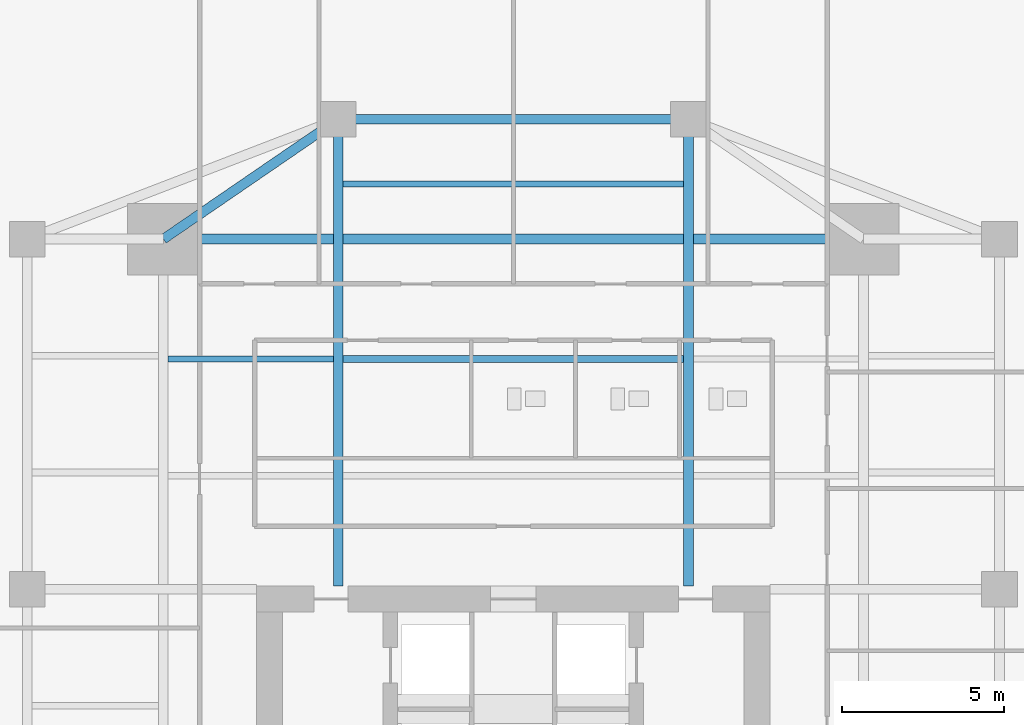
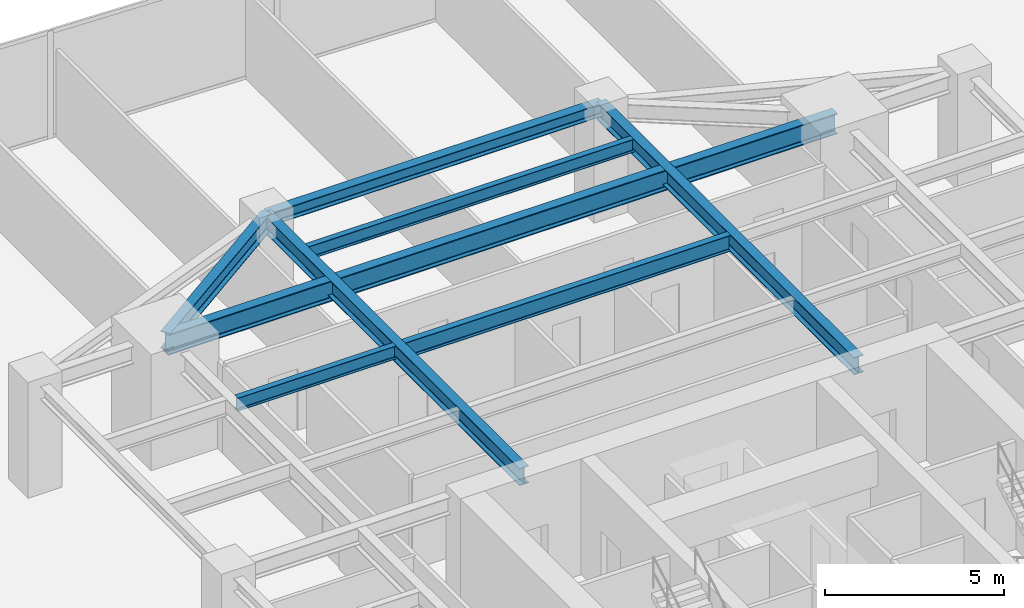
# One storey, part 20 of 30: 8 beams.
"""IFC4 building model written with IfcOpenShell, lengths in metres."""

from ifc_helpers import new_model, si_unit, direction, frame, origin, origin_2d, place, context, subcontext, project, spatial, i_section, extrude, source, transform, mapped, material, material_profile, profile_set, type_object, type_shapes, element, save


model = new_model("IFC4")

# Units and contexts
model_context = context("Model", 3, precision=1e-05, world=origin(), true_north=direction((0.0, 1.0)))
body_context = subcontext(model_context, "Body", "Model", "MODEL_VIEW")
ifc_project = project(units=[si_unit("LENGTHUNIT", "METRE"), si_unit("AREAUNIT", "SQUARE_METRE"), si_unit("VOLUMEUNIT", "CUBIC_METRE"), si_unit("PLANEANGLEUNIT", "RADIAN"), si_unit("MASSUNIT", "GRAM", prefix="KILO")], contexts=[model_context])

# Site, building, storey
site_placement = place(None, origin())
site = spatial("IfcSite", under=ifc_project, at=site_placement, CompositionType="ELEMENT")
building_placement = place(site_placement, origin())
building = spatial("IfcBuilding", under=site, at=building_placement, Name="Krantzveldt Concourse Tower", CompositionType="ELEMENT")
storey_placement = place(building_placement, frame((0.0, 0.0, 36.85009765625)))
storey = spatial("IfcBuildingStorey", under=building, at=storey_placement, Name="L08", CompositionType="ELEMENT", Elevation=36.85009765625)

# Beams
ifc_material_1 = material(Name="Steel S355J2", Category="steel")
ifc_material_profile_1 = material_profile(ifc_material_1, i_section(OverallWidth=0.300048828125, OverallDepth=0.699951171875, WebThickness=0.01708984375, FlangeThickness=0.031982421875, FilletRadius=0.027099609375, at=origin_2d()), Name="Steel S355J2", Category="steel")
ifc_profile_set_1 = profile_set([ifc_material_profile_1], Name="Steel S355J2 - HEB 700")
beam_type_1 = type_object("IfcBeamType", Name="BM-B-HEB700", PredefinedType="BEAM", material=ifc_profile_set_1)
shared_shape_1 = source(origin(), body_context, "Body", "SweptSolid", [
    extrude(i_section(OverallWidth=0.300048828125, OverallDepth=0.699951171875, WebThickness=0.01708984375, FlangeThickness=0.031982421875, FilletRadius=0.027099609375, at=origin_2d()), origin(), (0.0, 0.0, 1.0), 21.60009765625),
])
type_shapes(beam_type_1, [shared_shape_1])
beam_1_placement = place(storey_placement, frame((25.199951171875, 37.5, 3.31982421875), z_axis=(1.0, 0.0, 0.0), x_axis=(0.0, 1.0, 0.0)))
element("IfcBeam", 1, at=beam_1_placement, inside=storey, type_object=beam_type_1, Name="L08 Tower Girder BG-MN", PredefinedType="BEAM", context=body_context, shape_type="MappedRepresentation", body=[
    mapped(shared_shape_1, transform((0.0, 0.0, 0.0), x_axis=(1.0, 0.0, 0.0), y_axis=(0.0, 1.0, 0.0), z_axis=(0.0, 0.0, 1.0), scale=1.0)),
])
ifc_material_2 = material(Name="Steel S355JR", Category="steel")
ifc_material_profile_2 = material_profile(ifc_material_2, i_section(OverallWidth=0.300048828125, OverallDepth=0.590087890625, WebThickness=0.012939453125, FlangeThickness=0.02490234375, FilletRadius=0.027099609375, at=origin_2d()), Name="Steel S355JR", Category="steel")
ifc_profile_set_2 = profile_set([ifc_material_profile_2], Name="Steel S355JR - HEA 600")
beam_type_2 = type_object("IfcBeamType", Name="BM-B-HEA600", PredefinedType="BEAM", material=ifc_profile_set_2)
shared_shape_2 = source(origin(), body_context, "Body", "SweptSolid", [
    extrude(i_section(OverallWidth=0.300048828125, OverallDepth=0.590087890625, WebThickness=0.012939453125, FlangeThickness=0.02490234375, FilletRadius=0.027099609375, at=origin_2d()), origin(), (0.0, 0.0, 1.0), 14.39990234375),
])
for number, where, z_axis, x_axis, name in (
    (2, (30.60009765625, 26.800048828125, 3.375), (0.0, 1.0, 0.0), (-1.0, 0.0, 0.0), "L08 Tower Girder BG-CNW"),
    (3, (41.39990234375, 26.800048828125, 3.375), (0.0, 1.0, 0.0), (-1.0, 0.0, 0.0), "L08 Tower Girder BG-CNE"),
):
    element("IfcBeam", number, at=place(storey_placement, frame(where, z_axis=z_axis, x_axis=x_axis)), inside=storey, type_object=beam_type_2, Name=name, PredefinedType="BEAM", context=body_context, shape_type="MappedRepresentation", body=[
        mapped(shared_shape_2, transform((0.0, 0.0, 0.0), x_axis=(1.0, 0.0, 0.0), y_axis=(0.0, 1.0, 0.0), z_axis=(0.0, 0.0, 1.0), scale=1.0)),
    ])
ifc_material_profile_3 = material_profile(ifc_material_2, i_section(OverallWidth=0.300048828125, OverallDepth=0.43994140625, WebThickness=0.011474609375, FlangeThickness=0.02099609375, FilletRadius=0.027099609375, at=origin_2d()), Name="Steel S355JR", Category="steel")
ifc_profile_set_3 = profile_set([ifc_material_profile_3], Name="Steel S355JR - HEA 450")
beam_type_3 = type_object("IfcBeamType", Name="BM-SP-HEA450", PredefinedType="SPANDREL", material=ifc_profile_set_3)
shared_shape_3 = source(origin(), body_context, "Body", "SweptSolid", [
    extrude(i_section(OverallWidth=0.300048828125, OverallDepth=0.43994140625, WebThickness=0.011474609375, FlangeThickness=0.02099609375, FilletRadius=0.027099609375, at=origin_2d()), origin(), (0.0, 0.0, 1.0), 10.7998046875),
])
type_shapes(beam_type_3, [shared_shape_3])
beam_2_placement = place(storey_placement, frame((30.60009765625, 41.199951171875, 3.449951171875), z_axis=(1.0, 0.0, 0.0), x_axis=(0.0, 1.0, 0.0)))
element("IfcBeam", 4, at=beam_2_placement, inside=storey, type_object=beam_type_3, Name="L08 Tower Girder SP-R04", PredefinedType="SPANDREL", context=body_context, shape_type="MappedRepresentation", body=[
    mapped(shared_shape_3, transform((0.0, 0.0, 0.0), x_axis=(1.0, 0.0, 0.0), y_axis=(0.0, 1.0, 0.0), z_axis=(0.0, 0.0, 1.0), scale=1.0)),
])
shared_shape_4 = source(origin(), body_context, "Body", "SweptSolid", [
    extrude(i_section(OverallWidth=0.300048828125, OverallDepth=0.590087890625, WebThickness=0.012939453125, FlangeThickness=0.02490234375, FilletRadius=0.027099609375, at=origin_2d()), origin(), (0.0, 0.0, 1.0), 6.546142578125),
])
type_shapes(beam_type_2, [shared_shape_2, shared_shape_4])
beam_3_placement = place(storey_placement, frame((25.199951171875, 37.5, 3.375), z_axis=(0.824942999484, 0.565215930068, 0.0), x_axis=(-0.565215930068, 0.824942999484, 0.0)))
element("IfcBeam", 5, at=beam_3_placement, inside=storey, type_object=beam_type_2, Name="L08 Tower Girder BR-RL4", PredefinedType="BEAM", context=body_context, shape_type="MappedRepresentation", body=[
    mapped(shared_shape_4, transform((0.0, 0.0, 0.0), x_axis=(1.0, 0.0, 0.0), y_axis=(0.0, 1.0, 0.0), z_axis=(0.0, 0.0, 1.0), scale=1.0)),
])
ifc_material_profile_4 = material_profile(ifc_material_2, i_section(OverallWidth=0.2099609375, OverallDepth=0.550048828125, WebThickness=0.010986328125, FlangeThickness=0.01708984375, FilletRadius=0.02392578125, at=origin_2d()), Name="Steel S355JR", Category="steel")
ifc_profile_set_4 = profile_set([ifc_material_profile_4], Name="Steel S355JR - IPE 550")
beam_type_4 = type_object("IfcBeamType", Name="BM-J-IPE550", PredefinedType="JOIST", material=ifc_profile_set_4)
shared_shape_5 = source(origin(), body_context, "Body", "SweptSolid", [
    extrude(i_section(OverallWidth=0.2099609375, OverallDepth=0.550048828125, WebThickness=0.010986328125, FlangeThickness=0.01708984375, FilletRadius=0.02392578125, at=origin_2d()), origin(), (0.0, 0.0, 1.0), 10.5),
])
type_shapes(beam_type_4, [shared_shape_5])
beam_4_placement = place(storey_placement, frame((30.75, 33.800048828125, 3.39501953125), z_axis=(1.0, 0.0, 0.0), x_axis=(0.0, 1.0, 0.0)))
element("IfcBeam", 6, at=beam_4_placement, inside=storey, type_object=beam_type_4, Name="L08 Secondary Floor Joist JN-C2", PredefinedType="JOIST", context=body_context, shape_type="MappedRepresentation", body=[
    mapped(shared_shape_5, transform((0.0, 0.0, 0.0), x_axis=(1.0, 0.0, 0.0), y_axis=(0.0, 1.0, 0.0), z_axis=(0.0, 0.0, 1.0), scale=1.0)),
])
ifc_material_profile_5 = material_profile(ifc_material_2, i_section(OverallWidth=0.18994140625, OverallDepth=0.449951171875, WebThickness=0.009521484375, FlangeThickness=0.0146484375, FilletRadius=0.02099609375, at=origin_2d()), Name="Steel S355JR", Category="steel")
ifc_profile_set_5 = profile_set([ifc_material_profile_5], Name="Steel S355JR - IPE 450")
beam_type_5 = type_object("IfcBeamType", Name="BM-J-IPE450", PredefinedType="JOIST", material=ifc_profile_set_5)
shared_shape_6 = source(origin(), body_context, "Body", "SweptSolid", [
    extrude(i_section(OverallWidth=0.18994140625, OverallDepth=0.449951171875, WebThickness=0.009521484375, FlangeThickness=0.0146484375, FilletRadius=0.02099609375, at=origin_2d()), origin(), (0.0, 0.0, 1.0), 10.5),
])
beam_5_placement = place(storey_placement, frame((30.75, 39.199951171875, 3.44482421875), z_axis=(1.0, 0.0, 0.0), x_axis=(0.0, 1.0, 0.0)))
element("IfcBeam", 7, at=beam_5_placement, inside=storey, type_object=beam_type_5, Name="L08 Secondary Floor Joist JN-C3", PredefinedType="JOIST", context=body_context, shape_type="MappedRepresentation", body=[
    mapped(shared_shape_6, transform((0.0, 0.0, 0.0), x_axis=(1.0, 0.0, 0.0), y_axis=(0.0, 1.0, 0.0), z_axis=(0.0, 0.0, 1.0), scale=1.0)),
])
shared_shape_7 = source(origin(), body_context, "Body", "SweptSolid", [
    extrude(i_section(OverallWidth=0.18994140625, OverallDepth=0.449951171875, WebThickness=0.009521484375, FlangeThickness=0.0146484375, FilletRadius=0.02099609375, at=origin_2d()), origin(), (0.0, 0.0, 1.0), 5.099853515625),
])
type_shapes(beam_type_5, [shared_shape_6, shared_shape_7])
beam_6_placement = place(storey_placement, frame((25.35009765625, 33.800048828125, 3.44482421875), z_axis=(1.0, 0.0, 0.0), x_axis=(0.0, 1.0, 0.0)))
element("IfcBeam", 8, at=beam_6_placement, inside=storey, type_object=beam_type_5, Name="L08 Secondary Floor Joist JN-W2", PredefinedType="JOIST", context=body_context, shape_type="MappedRepresentation", body=[
    mapped(shared_shape_7, transform((0.0, 0.0, 0.0), x_axis=(1.0, 0.0, 0.0), y_axis=(0.0, 1.0, 0.0), z_axis=(0.0, 0.0, 1.0), scale=1.0)),
])

save(model, "model.ifc")
